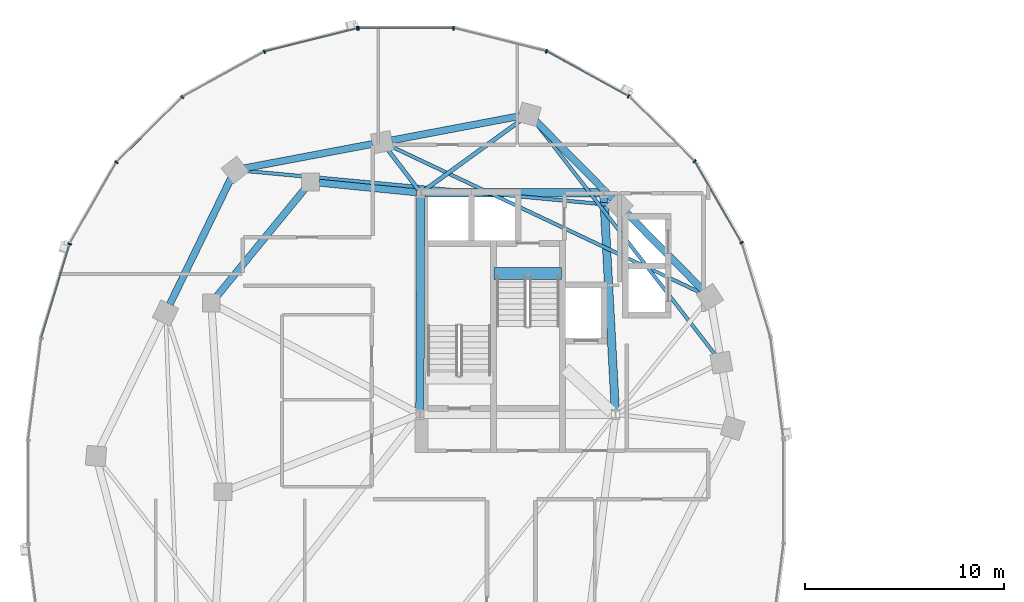
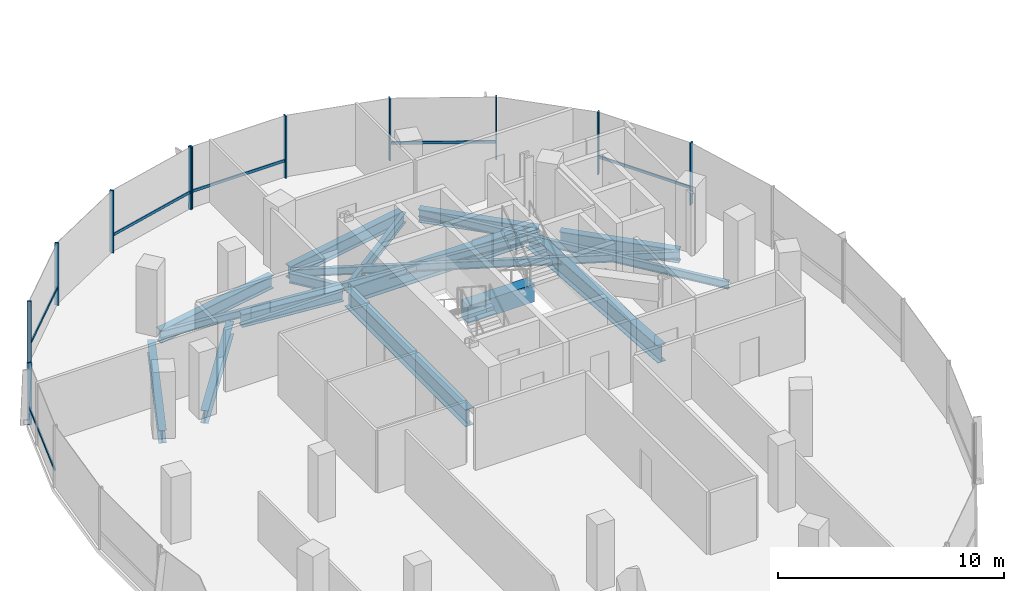
# One storey, part 5 of 22: 17 members, 16 beams, 2 elements without a shape of their own.
"""IFC4 building model written with IfcOpenShell, lengths in metres."""

from ifc_helpers import new_model, si_unit, direction, frame, origin, origin_2d, place, context, subcontext, project, spatial, rectangle, i_section, extrude, material, material_profile, profile_set, type_object, element, aggregate, save


model = new_model("IFC4")

# Units and contexts
model_context = context("Model", 3, precision=1e-05, world=origin(), true_north=direction((0.0, 1.0)))
body_context = subcontext(model_context, "Body", "Model", "MODEL_VIEW")
ifc_project = project(units=[si_unit("LENGTHUNIT", "METRE"), si_unit("AREAUNIT", "SQUARE_METRE"), si_unit("VOLUMEUNIT", "CUBIC_METRE"), si_unit("PLANEANGLEUNIT", "RADIAN"), si_unit("MASSUNIT", "GRAM", prefix="KILO"), si_unit("THERMODYNAMICTEMPERATUREUNIT", "KELVIN"), si_unit("POWERUNIT", "WATT")], contexts=[model_context])

# Site, building, storey
site_placement = place(None, origin())
site = spatial("IfcSite", under=ifc_project, at=site_placement, CompositionType="ELEMENT")
building_placement = place(site_placement, origin())
building = spatial("IfcBuilding", under=site, at=building_placement, Name="Cundina Bronze Exchange", CompositionType="ELEMENT")
storey_placement = place(building_placement, frame((0.0, 0.0, 140.39990234375)))
storey = spatial("IfcBuildingStorey", under=building, at=storey_placement, Name="L36", CompositionType="ELEMENT", Elevation=140.39990234375)

# Beams
ifc_material_1 = material(Name="Concrete C60/75", Category="concrete")
ifc_material_profile_1 = material_profile(ifc_material_1, rectangle(XDim=0.60009765625, YDim=0.949951171875, at=origin_2d()), Name="RC600X950", Category="concrete")
ifc_profile_set_1 = profile_set([ifc_material_profile_1], Name="Concrete C60/75")
beam_type_1 = type_object("IfcBeamType", Name="BM-COUP-RC950", PredefinedType="LINTEL", material=ifc_profile_set_1)
beam_1_placement = place(storey_placement, frame((-27.56005859375, 10.97998046875, -0.474853515625), z_axis=(1.0, 0.0, 0.0), x_axis=(0.0, 1.0, 0.0)))
element("IfcBeam", 1, at=beam_1_placement, inside=storey, type_object=beam_type_1, Name="L36 Stair W2 Landing Header Beam", PredefinedType="LINTEL", context=body_context, shape_type="SweptSolid", body=[
    extrude(rectangle(XDim=0.60009765625, YDim=0.949951171875, at=origin_2d()), origin(), (0.0, 0.0, 1.0), 3.400146484375),
])
ifc_material_2 = material(Name="Steel ASTM A992 Grade 50", Category="steel")
ifc_material_profile_2 = material_profile(ifc_material_2, i_section(OverallWidth=0.2119140625, OverallDepth=0.5439453125, WebThickness=0.01318359375, FlangeThickness=0.021240234375, FilletRadius=0.013916015625, at=origin_2d()), Name="W21X83", Category="steel")
ifc_profile_set_2 = profile_set([ifc_material_profile_2], Name="Steel ASTM A992 Grade 50")
beam_type_2 = type_object("IfcBeamType", Name="BM-FLR-W21A", PredefinedType="BEAM", material=ifc_profile_set_2)
beam_2_placement = place(storey_placement, frame((-31.084716796875, 15.169677734375, -0.511962890625), z_axis=(0.809693047063, 0.586853618492, 0.0), x_axis=(-0.586853618492, 0.809693047063, 0.0)))
element("IfcBeam", 2, at=beam_2_placement, inside=storey, type_object=beam_type_2, Name="L36 Leg W Radial Floor Beam 04", PredefinedType="BEAM", context=body_context, shape_type="SweptSolid", body=[
    extrude(i_section(OverallWidth=0.2119140625, OverallDepth=0.5439453125, WebThickness=0.01318359375, FlangeThickness=0.021240234375, FilletRadius=0.013916015625, at=origin_2d()), origin(), (0.0, 0.0, 1.0), 6.038818359375),
])
beam_3_placement = place(storey_placement, frame((-31.373779296875, 15.2119140625, -0.511962890625), z_axis=(-0.607450107571, 0.794357832977, 0.0), x_axis=(-0.794357832977, -0.607450107571, 0.0)))
element("IfcBeam", 3, at=beam_3_placement, inside=storey, type_object=beam_type_2, Name="L36 Leg W Radial Floor Beam 05", PredefinedType="BEAM", context=body_context, shape_type="SweptSolid", body=[
    extrude(i_section(OverallWidth=0.2119140625, OverallDepth=0.5439453125, WebThickness=0.01318359375, FlangeThickness=0.021240234375, FilletRadius=0.013916015625, at=origin_2d()), origin(), (0.0, 0.0, 1.0), 2.518310546875),
])
ifc_material_profile_3 = material_profile(ifc_material_2, i_section(OverallWidth=0.178955078125, OverallDepth=0.409912109375, WebThickness=0.0087890625, FlangeThickness=0.014404296875, FilletRadius=0.010986328125, at=origin_2d()), Name="W16X45", Category="steel")
ifc_profile_set_3 = profile_set([ifc_material_profile_3], Name="Steel ASTM A992 Grade 50")
beam_type_3 = type_object("IfcBeamType", Name="BM-JST-W16", PredefinedType="JOIST", material=ifc_profile_set_3)
beam_4_placement = place(storey_placement, frame((-16.423583984375, 6.885986328125, -0.44482421875), z_axis=(-0.61208354334, 0.790793105668, 0.0), x_axis=(-0.790793105668, -0.61208354334, 0.0)))
element("IfcBeam", 4, at=beam_4_placement, inside=storey, type_object=beam_type_3, Name="L36 Leg W Lobe Floor Joist 01-04", PredefinedType="JOIST", context=body_context, shape_type="SweptSolid", body=[
    extrude(i_section(OverallWidth=0.178955078125, OverallDepth=0.409912109375, WebThickness=0.0087890625, FlangeThickness=0.014404296875, FilletRadius=0.010986328125, at=origin_2d()), origin(), (0.0, 0.0, 1.0), 14.830810546875),
])
beam_5_placement = place(storey_placement, frame((-17.14111328125, 10.008544921875, -0.44482421875), z_axis=(-0.904074252188, 0.427375416385, 0.0), x_axis=(-0.427375416385, -0.904074252188, 0.0)))
element("IfcBeam", 5, at=beam_5_placement, inside=storey, type_object=beam_type_3, Name="L36 Leg W Lobe Floor Joist 02-05", PredefinedType="JOIST", context=body_context, shape_type="SweptSolid", body=[
    extrude(i_section(OverallWidth=0.178955078125, OverallDepth=0.409912109375, WebThickness=0.0087890625, FlangeThickness=0.014404296875, FilletRadius=0.010986328125, at=origin_2d()), origin(), (0.0, 0.0, 1.0), 17.274658203125),
])
beam_6_placement = place(storey_placement, frame((-21.73583984375, 14.4453125, -0.44482421875), z_axis=(-0.995701840093, 0.092616659595, 0.0), x_axis=(-0.092616659595, -0.995701840093, 0.0)))
element("IfcBeam", 6, at=beam_6_placement, inside=storey, type_object=beam_type_3, Name="L36 Leg W Lobe Floor Joist 03-06", PredefinedType="JOIST", context=body_context, shape_type="SweptSolid", body=[
    extrude(i_section(OverallWidth=0.178955078125, OverallDepth=0.409912109375, WebThickness=0.0087890625, FlangeThickness=0.014404296875, FilletRadius=0.010986328125, at=origin_2d()), origin(), (0.0, 0.0, 1.0), 18.45751953125),
])
ifc_material_profile_4 = material_profile(ifc_material_2, i_section(OverallWidth=0.35498046875, OverallDepth=0.695068359375, WebThickness=0.015380859375, FlangeThickness=0.02490234375, FilletRadius=0.01806640625, at=origin_2d()), Name="W27X146", Category="steel")
ifc_profile_set_4 = profile_set([ifc_material_profile_4], Name="Steel ASTM A992 Grade 50")
beam_type_4 = type_object("IfcBeamType", Name="BM-RING-W27", PredefinedType="USERDEFINED", material=ifc_profile_set_4)
beam_7_placement = place(storey_placement, frame((-31.452880859375, 15.070068359375, -0.58740234375), z_axis=(-0.995123020608, 0.098641643622, 0.0), x_axis=(-0.098641643622, -0.995123020608, 0.0)))
element("IfcBeam", 7, at=beam_7_placement, inside=storey, type_object=beam_type_4, Name="L36 W Inner Structural Ring Girder 01", ObjectType="GIRDER", PredefinedType="USERDEFINED", context=body_context, shape_type="SweptSolid", body=[
    extrude(i_section(OverallWidth=0.35498046875, OverallDepth=0.695068359375, WebThickness=0.015380859375, FlangeThickness=0.02490234375, FilletRadius=0.01806640625, at=origin_2d()), origin(), (0.0, 0.0, 1.0), 4.935302734375),
])
beam_8_placement = place(storey_placement, frame((-37.07763671875, 15.26123046875, -0.58740234375), z_axis=(-0.633912590175, -0.77340469873, 0.0), x_axis=(0.77340469873, -0.633912590175, 0.0)))
element("IfcBeam", 8, at=beam_8_placement, inside=storey, type_object=beam_type_4, Name="L36 W Inner Structural Ring Girder 02", ObjectType="GIRDER", PredefinedType="USERDEFINED", context=body_context, shape_type="SweptSolid", body=[
    extrude(i_section(OverallWidth=0.35498046875, OverallDepth=0.695068359375, WebThickness=0.015380859375, FlangeThickness=0.02490234375, FilletRadius=0.01806640625, at=origin_2d()), origin(), (0.0, 0.0, 1.0), 7.01123046875),
])
beam_9_placement = place(storey_placement, frame((-17.043212890625, 10.14697265625, -0.58740234375), z_axis=(-0.703230112979, 0.710962311378, 0.0), x_axis=(-0.710962311378, -0.703230112979, 0.0)))
element("IfcBeam", 9, at=beam_9_placement, inside=storey, type_object=beam_type_4, Name="L36 W Perimeter Ring Girder 02", ObjectType="GIRDER", PredefinedType="USERDEFINED", context=body_context, shape_type="SweptSolid", body=[
    extrude(i_section(OverallWidth=0.35498046875, OverallDepth=0.695068359375, WebThickness=0.015380859375, FlangeThickness=0.02490234375, FilletRadius=0.01806640625, at=origin_2d()), origin(), (0.0, 0.0, 1.0), 5.493896484375),
])
beam_10_placement = place(storey_placement, frame((-21.59326171875, 14.746826171875, -0.58740234375), z_axis=(-0.703207895705, 0.710984286337, 0.0), x_axis=(-0.710984286337, -0.703207895705, 0.0)))
element("IfcBeam", 10, at=beam_10_placement, inside=storey, type_object=beam_type_4, Name="L36 W Perimeter Ring Girder 03", ObjectType="GIRDER", PredefinedType="USERDEFINED", context=body_context, shape_type="SweptSolid", body=[
    extrude(i_section(OverallWidth=0.35498046875, OverallDepth=0.695068359375, WebThickness=0.015380859375, FlangeThickness=0.02490234375, FilletRadius=0.01806640625, at=origin_2d()), origin(), (0.0, 0.0, 1.0), 5.494140625),
])
beam_11_placement = place(storey_placement, frame((-26.279541015625, 18.9091796875, -0.58740234375), z_axis=(-0.982571532667, -0.185884865421, 0.0), x_axis=(0.185884865421, -0.982571532667, 0.0)))
element("IfcBeam", 11, at=beam_11_placement, inside=storey, type_object=beam_type_4, Name="L36 W Perimeter Ring Girder 04", ObjectType="GIRDER", PredefinedType="USERDEFINED", context=body_context, shape_type="SweptSolid", body=[
    extrude(i_section(OverallWidth=0.35498046875, OverallDepth=0.695068359375, WebThickness=0.015380859375, FlangeThickness=0.02490234375, FilletRadius=0.01806640625, at=origin_2d()), origin(), (0.0, 0.0, 1.0), 6.55517578125),
])
beam_12_placement = place(storey_placement, frame((-33.679443359375, 17.50927734375, -0.58740234375), z_axis=(-0.982572819495, -0.185878063226, 0.0), x_axis=(0.185878063226, -0.982572819495, 0.0)))
element("IfcBeam", 12, at=beam_12_placement, inside=storey, type_object=beam_type_4, Name="L36 W Perimeter Ring Girder 05", ObjectType="GIRDER", PredefinedType="USERDEFINED", context=body_context, shape_type="SweptSolid", body=[
    extrude(i_section(OverallWidth=0.35498046875, OverallDepth=0.695068359375, WebThickness=0.015380859375, FlangeThickness=0.02490234375, FilletRadius=0.01806640625, at=origin_2d()), origin(), (0.0, 0.0, 1.0), 6.555419921875),
])
beam_13_placement = place(storey_placement, frame((-40.8134765625, 15.760986328125, -0.58740234375), z_axis=(-0.437196998825, -0.89936576776, 0.0), x_axis=(0.89936576776, -0.437196998825, 0.0)))
element("IfcBeam", 13, at=beam_13_placement, inside=storey, type_object=beam_type_4, Name="L36 W Perimeter Ring Girder 06", ObjectType="GIRDER", PredefinedType="USERDEFINED", context=body_context, shape_type="SweptSolid", body=[
    extrude(i_section(OverallWidth=0.35498046875, OverallDepth=0.695068359375, WebThickness=0.015380859375, FlangeThickness=0.02490234375, FilletRadius=0.01806640625, at=origin_2d()), origin(), (0.0, 0.0, 1.0), 7.029541015625),
])
ifc_material_profile_5 = material_profile(ifc_material_2, i_section(OverallWidth=0.41796875, OverallDepth=0.927001953125, WebThickness=0.019287109375, FlangeThickness=0.031982421875, FilletRadius=0.02392578125, at=origin_2d()), Name="W36X231", Category="steel")
ifc_profile_set_5 = profile_set([ifc_material_profile_5], Name="Steel ASTM A992 Grade 50")
beam_type_5 = type_object("IfcBeamType", Name="BM-WRN-W36B", PredefinedType="USERDEFINED", material=ifc_profile_set_5)
beam_14_placement = place(storey_placement, frame((-21.4609375, 4.103759765625, -0.703369140625), z_axis=(-0.053739193498, 0.998555005537, 0.0), x_axis=(-0.998555005537, -0.053739193498, 0.0)))
element("IfcBeam", 14, at=beam_14_placement, inside=storey, type_object=beam_type_5, Name="L36 W Core Perimeter Tie Girder 2", ObjectType="GIRDER", PredefinedType="USERDEFINED", context=body_context, shape_type="SweptSolid", body=[
    extrude(i_section(OverallWidth=0.41796875, OverallDepth=0.927001953125, WebThickness=0.019287109375, FlangeThickness=0.031982421875, FilletRadius=0.02392578125, at=origin_2d()), origin(), (0.0, 0.0, 1.0), 10.758056640625),
])
beam_15_placement = place(storey_placement, frame((-22.25390625, 15.050048828125, -0.703369140625), z_axis=(-1.0, 0.0, 0.0), x_axis=(0.0, -1.0, 0.0)))
element("IfcBeam", 15, at=beam_15_placement, inside=storey, type_object=beam_type_5, Name="L36 W Core Perimeter Tie Girder 3", ObjectType="GIRDER", PredefinedType="USERDEFINED", context=body_context, shape_type="SweptSolid", body=[
    extrude(i_section(OverallWidth=0.41796875, OverallDepth=0.927001953125, WebThickness=0.019287109375, FlangeThickness=0.031982421875, FilletRadius=0.02392578125, at=origin_2d()), origin(), (0.0, 0.0, 1.0), 8.7919921875),
])
beam_16_placement = place(storey_placement, frame((-31.2509765625, 14.845947265625, -0.703369140625), z_axis=(-0.004477329608, -0.99998997671, 0.0), x_axis=(0.99998997671, -0.004477329608, 0.0)))
element("IfcBeam", 16, at=beam_16_placement, inside=storey, type_object=beam_type_5, Name="L36 W Core Perimeter Tie Girder 4", ObjectType="GIRDER", PredefinedType="USERDEFINED", context=body_context, shape_type="SweptSolid", body=[
    extrude(i_section(OverallWidth=0.41796875, OverallDepth=0.927001953125, WebThickness=0.019287109375, FlangeThickness=0.031982421875, FilletRadius=0.02392578125, at=origin_2d()), origin(), (0.0, 0.0, 1.0), 10.741943359375),
])

# Curtain wall, members
ifc_material_3 = material(Name="Anodised Bronze Aluminium 6063-T6", Category="aluminium")
curtain_wall_type = type_object("IfcCurtainWallType", Name="CWS-WST-PIN", PredefinedType="NOTDEFINED", material=ifc_material_3)
curtain_wall_1_placement = place(storey_placement, origin())
curtain_wall_1 = element("IfcCurtainWall", 17, at=curtain_wall_1_placement, inside=storey, type_object=curtain_wall_type, Name="L36 CW-04 Curtain Wall Run CWR-L36-W1", PredefinedType="NOTDEFINED")
ifc_material_profile_6 = material_profile(ifc_material_3, rectangle(XDim=0.070068359375, YDim=0.18994140625, at=origin_2d()), Name="AL70X190", Category="aluminium")
ifc_profile_set_6 = profile_set([ifc_material_profile_6], Name="Anodised Bronze Aluminium 6063-T6")
member_type_1 = type_object("IfcMemberType", Name="CWM-MUL-190", PredefinedType="MULLION", material=ifc_profile_set_6)
member_1_placement = place(storey_placement, frame((-15.10205078125, 12.541259765625, 0.0), z_axis=(0.0, 0.0, 1.0), x_axis=(-0.498487739754, 0.866896748936, 0.0)))
member_1 = element("IfcMember", 18, at=member_1_placement, type_object=member_type_1, Name="CW-04 Mullion 3", PredefinedType="MULLION", context=body_context, shape_type="SweptSolid", body=[
    extrude(rectangle(XDim=0.070068359375, YDim=0.18994140625, at=origin_2d()), origin(), (0.0, 0.0, 1.0), 3.360107421875),
])
member_2_placement = place(storey_placement, frame((-17.469482421875, 16.640380859375, 0.0), z_axis=(0.0, 0.0, 1.0), x_axis=(-0.712026045991, 0.702153052995, 0.0)))
member_2 = element("IfcMember", 19, at=member_2_placement, type_object=member_type_1, Name="CW-04 Mullion 4", PredefinedType="MULLION", context=body_context, shape_type="SweptSolid", body=[
    extrude(rectangle(XDim=0.070068359375, YDim=0.18994140625, at=origin_2d()), origin(), (0.0, 0.0, 1.0), 3.360107421875),
])
member_3_placement = place(storey_placement, frame((-20.79345703125, 19.906005859375, 0.0), z_axis=(0.0, 0.0, 1.0), x_axis=(-0.875885937035, 0.482518212408, 0.0)))
member_3 = element("IfcMember", 20, at=member_3_placement, type_object=member_type_1, Name="CW-04 Mullion 5", PredefinedType="MULLION", context=body_context, shape_type="SweptSolid", body=[
    extrude(rectangle(XDim=0.070068359375, YDim=0.18994140625, at=origin_2d()), origin(), (0.0, 0.0, 1.0), 3.360107421875),
])
member_4_placement = place(storey_placement, frame((-24.932373046875, 22.17626953125, 0.0), z_axis=(0.0, 0.0, 1.0), x_axis=(-0.970084240161, 0.242768546132, 0.0)))
member_4 = element("IfcMember", 21, at=member_4_placement, type_object=member_type_1, Name="CW-04 Mullion 6", PredefinedType="MULLION", context=body_context, shape_type="SweptSolid", body=[
    extrude(rectangle(XDim=0.070068359375, YDim=0.18994140625, at=origin_2d()), origin(), (0.0, 0.0, 1.0), 3.360107421875),
])
member_5_placement = place(storey_placement, frame((-29.60595703125, 23.3369140625, 0.0), z_axis=(0.0, 0.0, 1.0), x_axis=(-1.0, 0.0, 0.0)))
member_5 = element("IfcMember", 22, at=member_5_placement, type_object=member_type_1, Name="CW-04 Mullion 7", PredefinedType="MULLION", context=body_context, shape_type="SweptSolid", body=[
    extrude(rectangle(XDim=0.070068359375, YDim=0.18994140625, at=origin_2d()), origin(), (0.0, 0.0, 1.0), 3.360107421875),
])
member_6_placement = place(storey_placement, frame((-34.39404296875, 23.3369140625, 0.0), z_axis=(0.0, 0.0, 1.0), x_axis=(-1.0, 0.0, 0.0)))
member_6 = element("IfcMember", 23, at=member_6_placement, type_object=member_type_1, Name="CW-04 End Mullion", PredefinedType="MULLION", context=body_context, shape_type="SweptSolid", body=[
    extrude(rectangle(XDim=0.070068359375, YDim=0.18994140625, at=origin_2d()), origin(), (0.0, 0.0, 1.0), 3.360107421875),
])

curtain_wall_2_placement = place(storey_placement, origin())
curtain_wall_2 = element("IfcCurtainWall", 24, at=curtain_wall_2_placement, inside=storey, type_object=curtain_wall_type, Name="L36 CW-04 Curtain Wall Run CWR-L36-W2", PredefinedType="NOTDEFINED")
member_7_placement = place(storey_placement, frame((-34.462646484375, 23.32861328125, 0.0), z_axis=(0.0, 0.0, 1.0), x_axis=(-0.970084240161, -0.242768546132, 0.0)))
member_7 = element("IfcMember", 25, at=member_7_placement, type_object=member_type_1, Name="CW-04 Mullion 1", PredefinedType="MULLION", context=body_context, shape_type="SweptSolid", body=[
    extrude(rectangle(XDim=0.070068359375, YDim=0.18994140625, at=origin_2d()), origin(), (0.0, 0.0, 1.0), 3.360107421875),
])
member_8_placement = place(storey_placement, frame((-39.13037109375, 22.151611328125, 0.0), z_axis=(0.0, 0.0, 1.0), x_axis=(-0.875885937035, -0.482518212408, 0.0)))
member_8 = element("IfcMember", 26, at=member_8_placement, type_object=member_type_1, Name="CW-04 Mullion 2", PredefinedType="MULLION", context=body_context, shape_type="SweptSolid", body=[
    extrude(rectangle(XDim=0.070068359375, YDim=0.18994140625, at=origin_2d()), origin(), (0.0, 0.0, 1.0), 3.360107421875),
])
member_9_placement = place(storey_placement, frame((-43.259033203125, 19.86669921875, 0.0), z_axis=(0.0, 0.0, 1.0), x_axis=(-0.712026045991, -0.702153052995, 0.0)))
member_9 = element("IfcMember", 27, at=member_9_placement, type_object=member_type_1, Name="CW-04 Mullion 3", PredefinedType="MULLION", context=body_context, shape_type="SweptSolid", body=[
    extrude(rectangle(XDim=0.070068359375, YDim=0.18994140625, at=origin_2d()), origin(), (0.0, 0.0, 1.0), 3.360107421875),
])
member_10_placement = place(storey_placement, frame((-46.57080078125, 16.588134765625, 0.0), z_axis=(0.0, 0.0, 1.0), x_axis=(-0.498487739754, -0.866896748936, 0.0)))
member_10 = element("IfcMember", 28, at=member_10_placement, type_object=member_type_1, Name="CW-04 Mullion 4", PredefinedType="MULLION", context=body_context, shape_type="SweptSolid", body=[
    extrude(rectangle(XDim=0.070068359375, YDim=0.18994140625, at=origin_2d()), origin(), (0.0, 0.0, 1.0), 3.360107421875),
])
member_11_placement = place(storey_placement, frame((-48.92626953125, 12.4755859375, 0.0), z_axis=(0.0, 0.0, 1.0), x_axis=(-0.290034140915, -0.957016299288, 0.0)))
member_11 = element("IfcMember", 29, at=member_11_placement, type_object=member_type_1, Name="CW-04 Mullion 5", PredefinedType="MULLION", context=body_context, shape_type="SweptSolid", body=[
    extrude(rectangle(XDim=0.070068359375, YDim=0.18994140625, at=origin_2d()), origin(), (0.0, 0.0, 1.0), 3.360107421875),
])

# Member
ifc_material_profile_7 = material_profile(ifc_material_3, rectangle(XDim=0.06494140625, YDim=0.14990234375, at=origin_2d()), Name="AL65X150", Category="aluminium")
ifc_profile_set_7 = profile_set([ifc_material_profile_7], Name="Anodised Bronze Aluminium 6063-T6")
member_type_2 = type_object("IfcMemberType", Name="CWM-TRN-150", PredefinedType="USERDEFINED", material=ifc_profile_set_7)
member_12_placement = place(storey_placement, frame((-15.121337890625, 12.574462890625, 0.920166015625), z_axis=(-0.498479967047, 0.866901218394, 0.0), x_axis=(-0.866901218394, -0.498479967047, 0.0)))
member_12 = element("IfcMember", 30, at=member_12_placement, type_object=member_type_2, Name="CW-04 Spandrel Transom 3", ObjectType="TRANSOM", PredefinedType="USERDEFINED", context=body_context, shape_type="SweptSolid", body=[
    extrude(rectangle(XDim=0.06494140625, YDim=0.14990234375, at=origin_2d()), origin(), (0.0, 0.0, 1.0), 4.66845703125),
])

member_13_placement = place(storey_placement, frame((-20.8271484375, 19.924560546875, 0.920166015625), z_axis=(-0.875878981549, 0.482530838062, 0.0), x_axis=(-0.482530838062, -0.875878981549, 0.0)))
member_13 = element("IfcMember", 31, at=member_13_placement, type_object=member_type_2, Name="CW-04 Spandrel Transom 5", ObjectType="TRANSOM", PredefinedType="USERDEFINED", context=body_context, shape_type="SweptSolid", body=[
    extrude(rectangle(XDim=0.06494140625, YDim=0.14990234375, at=origin_2d()), origin(), (0.0, 0.0, 1.0), 4.65380859375),
])

member_14_placement = place(storey_placement, frame((-29.64453125, 23.3369140625, 0.920166015625), z_axis=(-1.0, 0.0, 0.0), x_axis=(0.0, -1.0, 0.0)))
member_14 = element("IfcMember", 32, at=member_14_placement, type_object=member_type_2, Name="CW-04 Spandrel Transom 7", ObjectType="TRANSOM", PredefinedType="USERDEFINED", context=body_context, shape_type="SweptSolid", body=[
    extrude(rectangle(XDim=0.06494140625, YDim=0.14990234375, at=origin_2d()), origin(), (0.0, 0.0, 1.0), 4.7109375),
])

aggregate(curtain_wall_1, [member_1, member_12, member_2, member_3, member_13, member_4, member_5, member_6, member_14])

member_15_placement = place(storey_placement, frame((-34.5, 23.319091796875, 0.920166015625), z_axis=(-0.970100130035, -0.242705042606, 0.0), x_axis=(0.242705042606, -0.970100130035, 0.0)))
member_15 = element("IfcMember", 33, at=member_15_placement, type_object=member_type_2, Name="CW-04 Spandrel Transom 1", ObjectType="TRANSOM", PredefinedType="USERDEFINED", context=body_context, shape_type="SweptSolid", body=[
    extrude(rectangle(XDim=0.06494140625, YDim=0.14990234375, at=origin_2d()), origin(), (0.0, 0.0, 1.0), 4.746826171875),
])

member_16_placement = place(storey_placement, frame((-43.28662109375, 19.839599609375, 0.920166015625), z_axis=(-0.712005023839, -0.702174370102, 0.0), x_axis=(0.702174370102, -0.712005023839, 0.0)))
member_16 = element("IfcMember", 34, at=member_16_placement, type_object=member_type_2, Name="CW-04 Spandrel Transom 3", ObjectType="TRANSOM", PredefinedType="USERDEFINED", context=body_context, shape_type="SweptSolid", body=[
    extrude(rectangle(XDim=0.06494140625, YDim=0.14990234375, at=origin_2d()), origin(), (0.0, 0.0, 1.0), 4.594482421875),
])

member_17_placement = place(storey_placement, frame((-48.937255859375, 12.43896484375, 0.920166015625), z_axis=(-0.290051855969, -0.957010930371, 0.0), x_axis=(0.957010930371, -0.290051855969, 0.0)))
member_17 = element("IfcMember", 35, at=member_17_placement, type_object=member_type_2, Name="CW-04 Spandrel Transom 5", ObjectType="TRANSOM", PredefinedType="USERDEFINED", context=body_context, shape_type="SweptSolid", body=[
    extrude(rectangle(XDim=0.06494140625, YDim=0.14990234375, at=origin_2d()), origin(), (0.0, 0.0, 1.0), 4.876953125),
])

aggregate(curtain_wall_2, [member_7, member_15, member_8, member_9, member_16, member_10, member_11, member_17])

save(model, "model.ifc")
